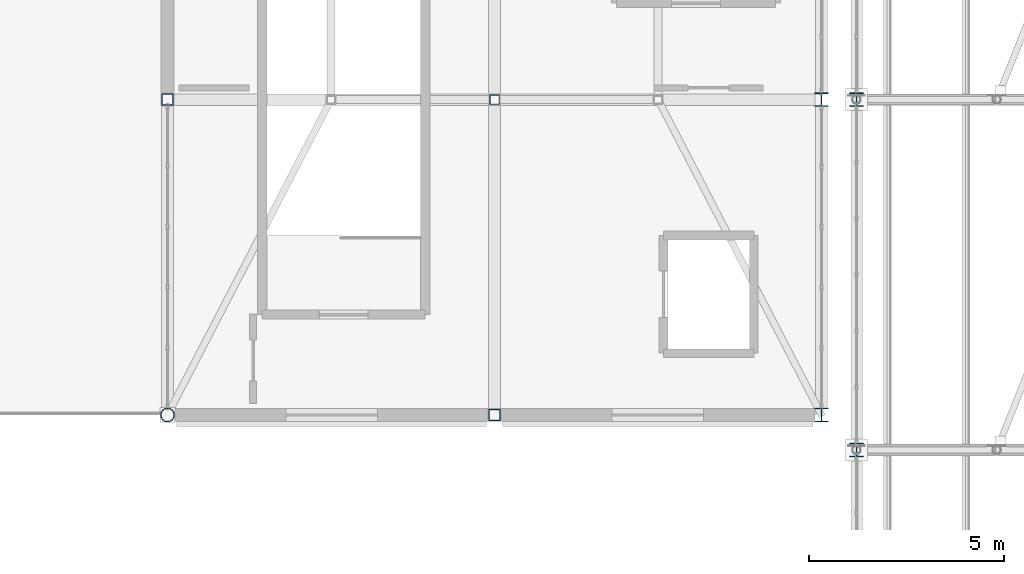
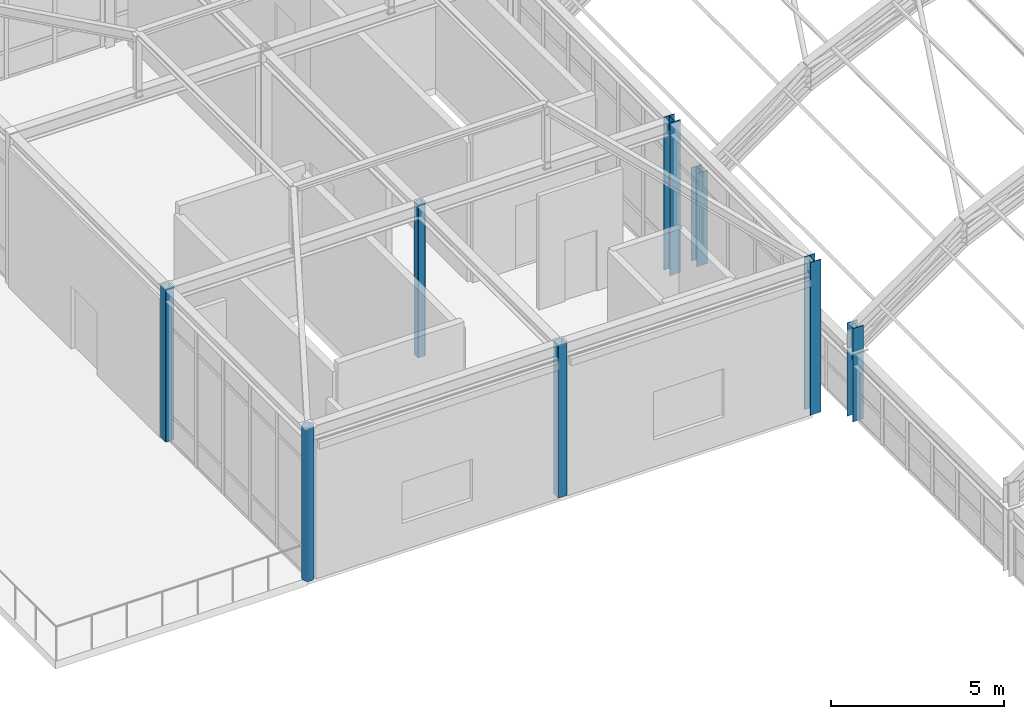
# One storey, part 3 of 121: 8 columns.
"""IFC4 building model written with IfcOpenShell, lengths in metres."""

from ifc_helpers import new_model, si_unit, direction, frame, origin, origin_2d, place, context, subcontext, project, spatial, hollow_rectangle, hollow_circle, i_section, extrude, material, material_profile, profile_set, type_object, element, save


model = new_model("IFC4")

# Units and contexts
model_context = context("Model", 3, precision=1e-05, world=origin(), true_north=direction((0.0, 1.0)))
body_context = subcontext(model_context, "Body", "Model", "MODEL_VIEW")
ifc_project = project(units=[si_unit("LENGTHUNIT", "METRE"), si_unit("AREAUNIT", "SQUARE_METRE"), si_unit("VOLUMEUNIT", "CUBIC_METRE"), si_unit("PLANEANGLEUNIT", "RADIAN"), si_unit("MASSUNIT", "GRAM", prefix="KILO")], contexts=[model_context])

# Site, building, storey
site_placement = place(None, origin())
site = spatial("IfcSite", under=ifc_project, at=site_placement, CompositionType="ELEMENT")
building_placement = place(site_placement, origin())
building = spatial("IfcBuilding", under=site, at=building_placement, Name="Canglan Escarpment Cableway Terminal", CompositionType="ELEMENT")
storey_placement = place(building_placement, frame((0.0, 0.0, 24.60009765625)))
storey = spatial("IfcBuildingStorey", under=building, at=storey_placement, Name="L05", CompositionType="ELEMENT", Elevation=24.60009765625)

# Columns
ifc_material_1 = material(Name="Steel Q355B", Category="steel")
ifc_material_profile_1 = material_profile(ifc_material_1, hollow_circle(Radius=0.177734375, WallThickness=0.012451171875, at=origin_2d()), Name="CHS 355.6x12.5")
ifc_profile_set_1 = profile_set([ifc_material_profile_1], Name="Steel Q355B")
column_type_1 = type_object("IfcColumnType", Name="COL-CHS355-Q355B", PredefinedType="COLUMN", material=ifc_profile_set_1)
column_1_placement = place(storey_placement, frame((119.89990234375, 88.89990234375, 0.0), z_axis=(0.0, 0.0, 1.0), x_axis=(1.0, 0.0, 0.0)))
element("IfcColumn", 1, at=column_1_placement, inside=storey, type_object=column_type_1, Name="Structural column C-13", PredefinedType="COLUMN", context=body_context, shape_type="SweptSolid", body=[
    extrude(hollow_circle(Radius=0.177734375, WallThickness=0.012451171875, at=origin_2d()), origin(), (0.0, 0.0, 1.0), 5.3798828125),
])
ifc_material_2 = material(Name="Steel Q355C", Category="steel")
ifc_material_profile_2 = material_profile(ifc_material_2, i_section(OverallWidth=0.35009765625, OverallDepth=0.35009765625, WebThickness=0.011962890625, FlangeThickness=0.01904296875, FilletRadius=0.02001953125, at=origin_2d()), Name="HW 350x350x12x19")
ifc_profile_set_2 = profile_set([ifc_material_profile_2], Name="Steel Q355C")
column_type_2 = type_object("IfcColumnType", Name="COL-HW350-Q355C", PredefinedType="COLUMN", material=ifc_profile_set_2)
for number, where, z_axis, x_axis, name in (
    (2, (136.699951171875, 88.89990234375, 0.0), (0.0, 0.0, 1.0), (1.0, 0.0, 0.0), "Structural column C-09"),
    (3, (136.699951171875, 97.0, 0.0), (0.0, 0.0, 1.0), (1.0, 0.0, 0.0), "Structural column C-09"),
):
    element("IfcColumn", number, at=place(storey_placement, frame(where, z_axis=z_axis, x_axis=x_axis)), inside=storey, type_object=column_type_2, Name=name, PredefinedType="COLUMN", context=body_context, shape_type="SweptSolid", body=[
        extrude(i_section(OverallWidth=0.35009765625, OverallDepth=0.35009765625, WebThickness=0.011962890625, FlangeThickness=0.01904296875, FilletRadius=0.02001953125, at=origin_2d()), origin(), (0.0, 0.0, 1.0), 5.3798828125),
    ])
for number, where, z_axis, x_axis, name in (
    (4, (137.60009765625, 88.0, 0.0), (0.0, 0.0, 1.0), (1.0, 0.0, 0.0), "Structural column C-09"),
    (5, (137.60009765625, 97.0, 0.0), (0.0, 0.0, 1.0), (1.0, 0.0, 0.0), "Structural column C-09"),
):
    element("IfcColumn", number, at=place(storey_placement, frame(where, z_axis=z_axis, x_axis=x_axis)), inside=storey, type_object=column_type_2, Name=name, PredefinedType="COLUMN", context=body_context, shape_type="SweptSolid", body=[
        extrude(i_section(OverallWidth=0.35009765625, OverallDepth=0.35009765625, WebThickness=0.011962890625, FlangeThickness=0.01904296875, FilletRadius=0.02001953125, at=origin_2d()), origin(), (0.0, 0.0, 1.0), 3.282470703125),
    ])
ifc_material_profile_3 = material_profile(ifc_material_1, hollow_rectangle(XDim=0.25, YDim=0.25, WallThickness=0.010009765625, InnerFilletRadius=0.010009765625, OuterFilletRadius=0.02001953125, at=origin_2d()), Name="SHS 250x250x10")
ifc_profile_set_3 = profile_set([ifc_material_profile_3], Name="Steel Q355B")
column_type_3 = type_object("IfcColumnType", Name="COL-SHS250-Q355B", PredefinedType="COLUMN", material=ifc_profile_set_3)
column_2_placement = place(storey_placement, frame((128.300048828125, 97.0, 0.0), z_axis=(0.0, 0.0, 1.0), x_axis=(1.0, 0.0, 0.0)))
element("IfcColumn", 6, at=column_2_placement, inside=storey, type_object=column_type_3, Name="Structural column C-15", PredefinedType="COLUMN", context=body_context, shape_type="SweptSolid", body=[
    extrude(hollow_rectangle(XDim=0.25, YDim=0.25, WallThickness=0.010009765625, InnerFilletRadius=0.010009765625, OuterFilletRadius=0.02001953125, at=origin_2d()), origin(), (0.0, 0.0, 1.0), 5.3798828125),
])
ifc_material_profile_4 = material_profile(ifc_material_1, hollow_rectangle(XDim=0.300048828125, YDim=0.300048828125, WallThickness=0.011962890625, InnerFilletRadius=0.011962890625, OuterFilletRadius=0.02392578125, at=origin_2d()), Name="SHS 300x300x12")
ifc_profile_set_4 = profile_set([ifc_material_profile_4], Name="Steel Q355B")
column_type_4 = type_object("IfcColumnType", Name="COL-SHS300-Q355B", PredefinedType="COLUMN", material=ifc_profile_set_4)
for number, where, z_axis, x_axis, name in (
    (7, (119.89990234375, 97.0, 0.0), (0.0, 0.0, 1.0), (1.0, 0.0, 0.0), "Structural column C-14"),
    (8, (128.300048828125, 88.89990234375, 0.0), (0.0, 0.0, 1.0), (1.0, 0.0, 0.0), "Structural column C-14"),
):
    element("IfcColumn", number, at=place(storey_placement, frame(where, z_axis=z_axis, x_axis=x_axis)), inside=storey, type_object=column_type_4, Name=name, PredefinedType="COLUMN", context=body_context, shape_type="SweptSolid", body=[
        extrude(hollow_rectangle(XDim=0.300048828125, YDim=0.300048828125, WallThickness=0.011962890625, InnerFilletRadius=0.011962890625, OuterFilletRadius=0.02392578125, at=origin_2d()), origin(), (0.0, 0.0, 1.0), 5.3798828125),
    ])

save(model, "model.ifc")
